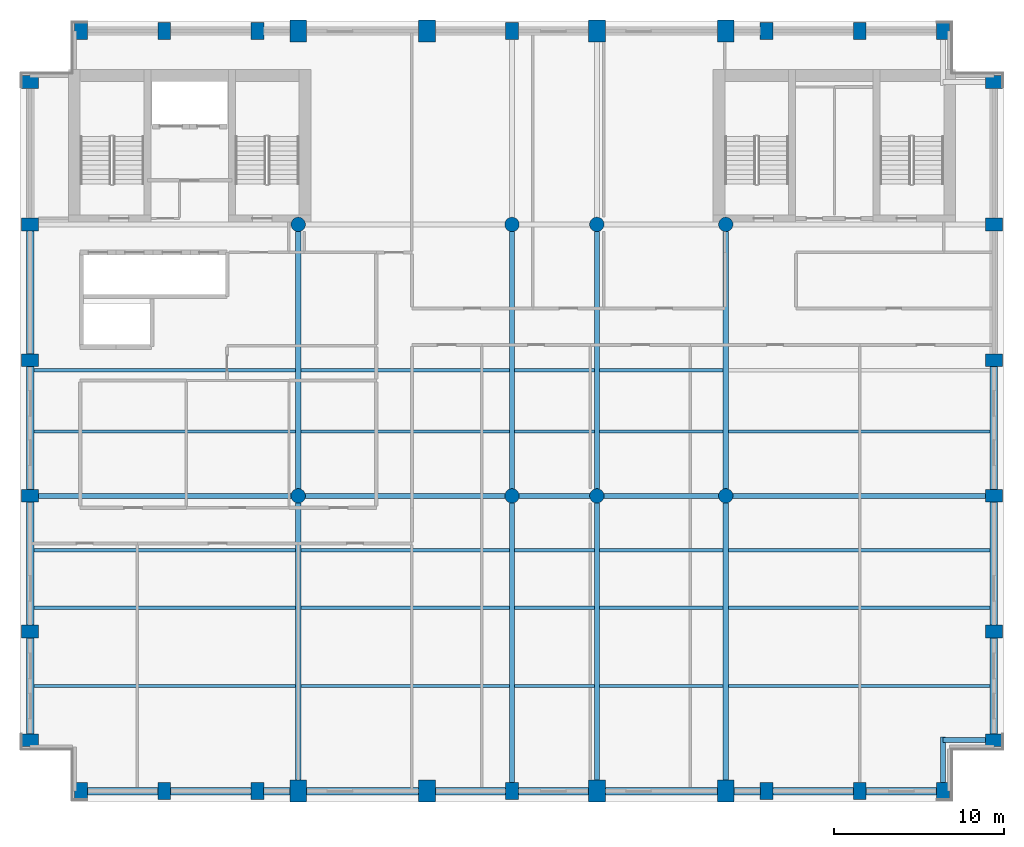
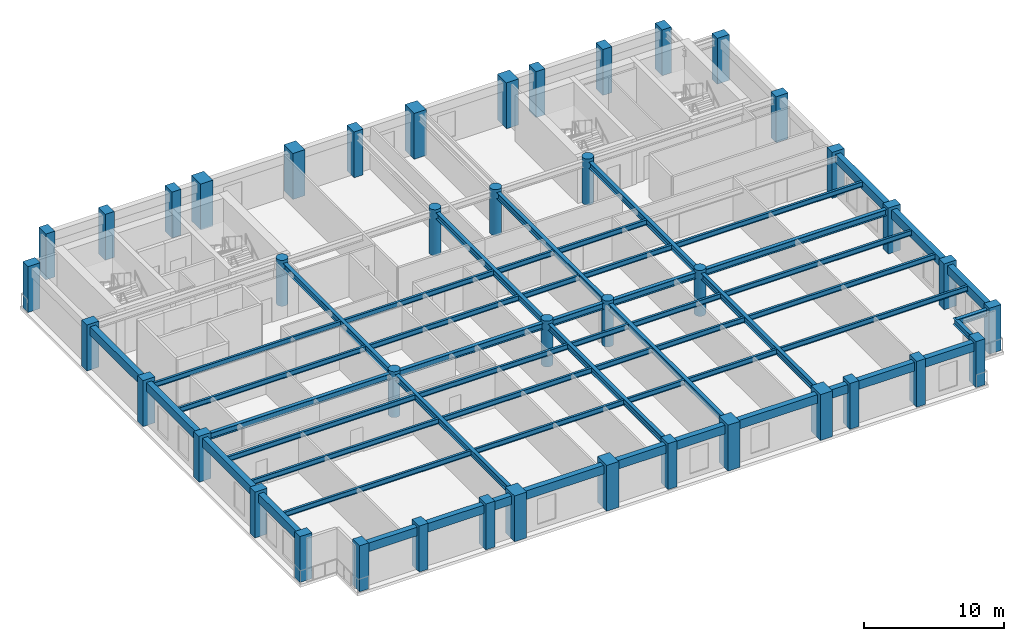
# One storey, part 1 of 9: 56 beams, 42 columns.
"""IFC4 building model written with IfcOpenShell, lengths in metres."""

import ifcopenshell
import ifcopenshell.guid

model = None  # the IFC model being written
_history = None  # IfcOwnerHistory: only IFC2X3 demands one
_inside = {}  # id of a spatial element -> (the spatial element, [elements in it])
_under = {}  # id of a project, library or spatial element -> (it, [spatial elements below it])
_declared = {}  # id of a project -> (the project, [libraries it declares])
_typed = {}  # id of a type object -> (the type object, [elements of that type])
_made_of = {}  # id of a material, layer set ... -> (it, [elements and type objects made of it])


def new_model(schema):
    """Start an empty IFC model of exactly this schema.

    Asked for "IFC4X3", IfcOpenShell would pick the latest addendum, in which some entities
    have other attributes; the version numbers below select the first issue.
    IFC2X3 requires an IfcOwnerHistory on every rooted entity: one is made here for all.
    """
    global model, _history
    if schema == "IFC4X3":
        model = ifcopenshell.file(schema_version=(4, 3, 0, 0))
    else:
        model = ifcopenshell.file(schema=schema)
    _inside.clear()
    _under.clear()
    _declared.clear()
    _typed.clear()
    _made_of.clear()
    _history = None
    if model.schema == "IFC2X3":
        org = make("IfcOrganization", Name="unknown")
        user = make(
            "IfcPersonAndOrganization",
            ThePerson=make("IfcPerson", FamilyName="unknown"),
            TheOrganization=org,
        )
        app = make(
            "IfcApplication",
            ApplicationDeveloper=org,
            Version="unknown",
            ApplicationFullName="unknown",
            ApplicationIdentifier="unknown",
        )
        _history = make(
            "IfcOwnerHistory",
            OwningUser=user,
            OwningApplication=app,
            ChangeAction="ADDED",
            CreationDate=0,
        )
    return model


def make(cls, **values):
    """One entity of the class cls with the attributes given. An attribute that is None is left unset."""
    return model.create_entity(
        cls, **{name: value for name, value in values.items() if value is not None}
    )


def rooted(cls, **values):
    """An entity with a GlobalId (a new one), such as an element, a storey or a relation."""
    return make(cls, GlobalId=ifcopenshell.guid.new(), OwnerHistory=_history, **values)


def si_unit(unit_type, name, prefix=None):
    """IfcSIUnit, for example si_unit("LENGTHUNIT", "METRE", prefix="MILLI")."""
    return make("IfcSIUnit", UnitType=unit_type, Prefix=prefix, Name=name)


def assignment(units):
    """IfcUnitAssignment: the units of a project."""
    return None if units is None else make("IfcUnitAssignment", Units=units)


def point(xyz):
    """IfcCartesianPoint."""
    return None if xyz is None else make("IfcCartesianPoint", Coordinates=xyz)


def direction(xyz):
    """IfcDirection."""
    return None if xyz is None else make("IfcDirection", DirectionRatios=xyz)


def frame(location, z_axis=None, x_axis=None):
    """IfcAxis2Placement3D, a coordinate frame: its origin and axes. An axis left out is left unset."""
    return make(
        "IfcAxis2Placement3D",
        Location=point(location),
        Axis=direction(z_axis),
        RefDirection=direction(x_axis),
    )


def frame_2d(location, x_axis=None):
    """IfcAxis2Placement2D, a coordinate frame in the plane: its origin and x axis."""
    return make(
        "IfcAxis2Placement2D", Location=point(location), RefDirection=direction(x_axis)
    )


def origin():
    """The frame at (0, 0, 0) with its axes left unset."""
    return frame((0.0, 0.0, 0.0))


def origin_2d():
    """The frame at (0, 0) in the plane with its x axis left unset."""
    return frame_2d((0.0, 0.0))


def place(relative_to, where):
    """IfcLocalPlacement: puts the frame where relative to a parent placement (None: the world)."""
    return make(
        "IfcLocalPlacement", PlacementRelTo=relative_to, RelativePlacement=where
    )


def context(
    kind, dimensions, precision=None, world=None, true_north=None, identifier=None
):
    """IfcGeometricRepresentationContext, for example the 3D "Model" context."""
    return make(
        "IfcGeometricRepresentationContext",
        ContextIdentifier=identifier,
        ContextType=kind,
        CoordinateSpaceDimension=dimensions,
        Precision=precision,
        WorldCoordinateSystem=world,
        TrueNorth=true_north,
    )


def subcontext(parent, identifier, kind, view, scale=None):
    """IfcGeometricRepresentationSubContext, for example "Body" below "Model"."""
    return make(
        "IfcGeometricRepresentationSubContext",
        ContextIdentifier=identifier,
        ContextType=kind,
        ParentContext=parent,
        TargetScale=scale,
        TargetView=view,
    )


def project(units=None, contexts=None):
    """IfcProject with its units and contexts."""
    return rooted(
        "IfcProject",
        Name="project",
        RepresentationContexts=contexts,
        UnitsInContext=assignment(units),
    )


def spatial(cls, under=None, at=None, **own):
    """A site, building, storey or space (cls), placed at a placement, below another one or the project."""
    s = rooted(cls, ObjectPlacement=at, **own)
    if under is not None:
        _under.setdefault(under.id(), (under, []))[1].append(s)
    return s


def profile(cls, at=None, kind="AREA", **sizes):
    """A parametric profile (cls). Its sizes go by their IFC names, for example OverallWidth=200.0."""
    return make(cls, ProfileType=kind, Position=at, **sizes)


def rectangle(**sizes):
    """IfcRectangleProfileDef."""
    return profile("IfcRectangleProfileDef", **sizes)


def circle(**sizes):
    """IfcCircleProfileDef."""
    return profile("IfcCircleProfileDef", **sizes)


def i_section(**sizes):
    """IfcIShapeProfileDef."""
    return profile("IfcIShapeProfileDef", **sizes)


def extrude(swept, where, along, depth):
    """IfcExtrudedAreaSolid: the profile swept, set in the frame where, extruded along a direction by depth."""
    return make(
        "IfcExtrudedAreaSolid",
        SweptArea=swept,
        Position=where,
        ExtrudedDirection=direction(along),
        Depth=depth,
    )


def shape(context_of_items, identifier, shape_type, items):
    """IfcShapeRepresentation: the items that make up one representation, for example the "Body"."""
    return make(
        "IfcShapeRepresentation",
        ContextOfItems=context_of_items,
        RepresentationIdentifier=identifier,
        RepresentationType=shape_type,
        Items=items,
    )


def material(Name=None, Category=None):
    """IfcMaterial."""
    return make("IfcMaterial", Name=Name, Category=Category)


def material_profile(
    of_material, cross_section, Name=None, Category=None, Priority=None
):
    """IfcMaterialProfile: a cross section and its material."""
    return make(
        "IfcMaterialProfile",
        Name=Name,
        Material=of_material,
        Profile=cross_section,
        Priority=Priority,
        Category=Category,
    )


def profile_set(profiles, Name=None, composite=None):
    """IfcMaterialProfileSet."""
    return make(
        "IfcMaterialProfileSet",
        Name=Name,
        MaterialProfiles=profiles,
        CompositeProfile=composite,
    )


def made_of(thing, what):
    """Note that an element or type object is made of a material, layer set ...; save() writes the relation."""
    if what is not None:
        _made_of.setdefault(what.id(), (what, []))[1].append(thing)
    return thing


def type_object(cls, material=None, **own):
    """A type object (cls), such as IfcWallType, which elements share."""
    return made_of(rooted(cls, **own), material)


def element(
    cls,
    number,
    at=None,
    inside=None,
    cuts=None,
    type_object=None,
    material=None,
    context=None,
    identifier="Body",
    shape_type=None,
    held_by="IfcProductDefinitionShape",
    body=None,
    shapes=None,
    **own,
):
    """One element of the class cls, such as IfcWall. Its Tag is "e" and its number.

    at: its placement. inside: the storey or other place that contains it. cuts: it is an
    opening in that element (IfcRelVoidsElement). A single representation is given by context,
    identifier, shape_type and body (its items); several are given by shapes. held_by: the class
    of the entity that holds the representations. save() writes the other relations.
    """
    e = rooted(cls, Tag="e%d" % number, ObjectPlacement=at, **own)
    if body is not None:
        shapes = [shape(context, identifier, shape_type, body)]
    if shapes is not None:
        e.Representation = make(held_by, Representations=shapes)
    if inside is not None:
        _inside.setdefault(inside.id(), (inside, []))[1].append(e)
    if cuts is not None:
        rooted(
            "IfcRelVoidsElement", RelatingBuildingElement=cuts, RelatedOpeningElement=e
        )
    if type_object is not None:
        _typed.setdefault(type_object.id(), (type_object, []))[1].append(e)
    return made_of(e, material)


def aggregate(whole, parts):
    """IfcRelAggregates: a whole, such as a stair, and the parts it consists of."""
    return rooted("IfcRelAggregates", RelatingObject=whole, RelatedObjects=parts)


def save(model, path):
    """Write the relations noted so far, then the file.

    IfcRelAggregates (storeys below a building ...), IfcRelContainedInSpatialStructure (elements
    in a storey), IfcRelDefinesByType, IfcRelAssociatesMaterial and IfcRelDeclares: one each for
    every whole, place, type object, material and project.
    """
    for whole, parts in _under.values():
        aggregate(whole, parts)
    for where, things in _inside.values():
        rooted(
            "IfcRelContainedInSpatialStructure",
            RelatedElements=things,
            RelatingStructure=where,
        )
    for kind, things in _typed.values():
        rooted("IfcRelDefinesByType", RelatedObjects=things, RelatingType=kind)
    for what, things in _made_of.values():
        rooted("IfcRelAssociatesMaterial", RelatedObjects=things, RelatingMaterial=what)
    for by, libraries in _declared.values():
        rooted("IfcRelDeclares", RelatingContext=by, RelatedDefinitions=libraries)
    model.write(path)


model = new_model("IFC4")

# Units and contexts
model_context = context("Model", 3, precision=1e-05, world=origin(), true_north=direction((0.0, 1.0)))
body_context = subcontext(model_context, "Body", "Model", "MODEL_VIEW")
ifc_project = project(units=[si_unit("LENGTHUNIT", "METRE"), si_unit("AREAUNIT", "SQUARE_METRE"), si_unit("VOLUMEUNIT", "CUBIC_METRE"), si_unit("PLANEANGLEUNIT", "RADIAN"), si_unit("MASSUNIT", "GRAM", prefix="KILO")], contexts=[model_context])

# Site, building, storey
site_placement = place(None, origin())
site = spatial("IfcSite", under=ifc_project, at=site_placement, CompositionType="ELEMENT")
building_placement = place(site_placement, origin())
building = spatial("IfcBuilding", under=site, at=building_placement, Name="Sulina Concourse Tower", CompositionType="ELEMENT")
storey_placement = place(building_placement, frame((0.0, 0.0, 268.60009765625)))
storey = spatial("IfcBuildingStorey", under=building, at=storey_placement, Name="L65", CompositionType="ELEMENT", Elevation=268.60009765625)

# Columns
ifc_material_1 = material(Name="Precast concrete C50/60", Category="concrete")
ifc_material_profile_1 = material_profile(ifc_material_1, rectangle(XDim=0.75, YDim=1.0, at=origin_2d()), Name="PC 750x1000")
ifc_profile_set_1 = profile_set([ifc_material_profile_1], Name="Precast concrete C50/60")
column_type_1 = type_object("IfcColumnType", Name="Precast Tube Pier Zone 4 750x1000", PredefinedType="COLUMN", material=ifc_profile_set_1)
for number, where, z_axis, x_axis, name in (
    (1, (3.60009765625, 0.60009765625, 0.0), (0.0, 0.0, 1.0), (1.0, 0.0, 0.0), "L65 structural column TP-S-36"),
    (2, (3.60009765625, 45.39990234375, 0.0), (0.0, 0.0, 1.0), (1.0, 0.0, 0.0), "L65 structural column TP-N-36"),
    (3, (8.5, 0.60009765625, 0.0), (0.0, 0.0, 1.0), (1.0, 0.0, 0.0), "L65 structural column TP-S-85"),
    (4, (8.5, 45.39990234375, 0.0), (0.0, 0.0, 1.0), (1.0, 0.0, 0.0), "L65 structural column TP-N-85"),
    (5, (14.0, 0.60009765625, 0.0), (0.0, 0.0, 1.0), (1.0, 0.0, 0.0), "L65 structural column TP-S-140"),
    (6, (14.0, 45.39990234375, 0.0), (0.0, 0.0, 1.0), (1.0, 0.0, 0.0), "L65 structural column TP-N-140"),
    (7, (29.0, 0.60009765625, 0.0), (0.0, 0.0, 1.0), (1.0, 0.0, 0.0), "L65 structural column TP-S-290"),
    (8, (29.0, 45.39990234375, 0.0), (0.0, 0.0, 1.0), (1.0, 0.0, 0.0), "L65 structural column TP-N-290"),
    (9, (44.0, 0.60009765625, 0.0), (0.0, 0.0, 1.0), (1.0, 0.0, 0.0), "L65 structural column TP-S-440"),
    (10, (44.0, 45.39990234375, 0.0), (0.0, 0.0, 1.0), (1.0, 0.0, 0.0), "L65 structural column TP-N-440"),
    (11, (49.5, 0.60009765625, 0.0), (0.0, 0.0, 1.0), (1.0, 0.0, 0.0), "L65 structural column TP-S-495"),
    (12, (49.5, 45.39990234375, 0.0), (0.0, 0.0, 1.0), (1.0, 0.0, 0.0), "L65 structural column TP-N-495"),
    (13, (54.39990234375, 0.60009765625, 0.0), (0.0, 0.0, 1.0), (1.0, 0.0, 0.0), "L65 structural column TP-S-544"),
    (14, (54.39990234375, 45.39990234375, 0.0), (0.0, 0.0, 1.0), (1.0, 0.0, 0.0), "L65 structural column TP-N-544"),
    (15, (0.60009765625, 3.60009765625, 0.0), (0.0, 0.0, 1.0), (0.0, 1.0, 0.0), "L65 structural column TP-W-36"),
    (16, (57.39990234375, 3.60009765625, 0.0), (0.0, 0.0, 1.0), (0.0, 1.0, 0.0), "L65 structural column TP-E-36"),
    (17, (0.60009765625, 10.0, 0.0), (0.0, 0.0, 1.0), (0.0, 1.0, 0.0), "L65 structural column TP-W-100"),
    (18, (57.39990234375, 10.0, 0.0), (0.0, 0.0, 1.0), (0.0, 1.0, 0.0), "L65 structural column TP-E-100"),
    (19, (0.60009765625, 18.0, 0.0), (0.0, 0.0, 1.0), (0.0, 1.0, 0.0), "L65 structural column TP-W-180"),
    (20, (57.39990234375, 18.0, 0.0), (0.0, 0.0, 1.0), (0.0, 1.0, 0.0), "L65 structural column TP-E-180"),
    (21, (0.60009765625, 26.0, 0.0), (0.0, 0.0, 1.0), (0.0, 1.0, 0.0), "L65 structural column TP-W-260"),
    (22, (57.39990234375, 26.0, 0.0), (0.0, 0.0, 1.0), (0.0, 1.0, 0.0), "L65 structural column TP-E-260"),
    (23, (0.60009765625, 34.0, 0.0), (0.0, 0.0, 1.0), (0.0, 1.0, 0.0), "L65 structural column TP-W-340"),
    (24, (57.39990234375, 34.0, 0.0), (0.0, 0.0, 1.0), (0.0, 1.0, 0.0), "L65 structural column TP-E-340"),
    (25, (0.60009765625, 42.39990234375, 0.0), (0.0, 0.0, 1.0), (0.0, 1.0, 0.0), "L65 structural column TP-W-424"),
    (26, (57.39990234375, 42.39990234375, 0.0), (0.0, 0.0, 1.0), (0.0, 1.0, 0.0), "L65 structural column TP-E-424"),
):
    element("IfcColumn", number, at=place(storey_placement, frame(where, z_axis=z_axis, x_axis=x_axis)), inside=storey, type_object=column_type_1, Name=name, PredefinedType="COLUMN", context=body_context, shape_type="SweptSolid", body=[
        extrude(rectangle(XDim=0.75, YDim=1.0, at=origin_2d()), origin(), (0.0, 0.0, 1.0), 4.0),
    ])
ifc_material_2 = material(Name="Concrete C50/60", Category="concrete")
ifc_material_profile_2 = material_profile(ifc_material_2, circle(Radius=0.425048828125, at=origin_2d()), Name="RC D850")
ifc_profile_set_2 = profile_set([ifc_material_profile_2], Name="Concrete C50/60")
column_type_2 = type_object("IfcColumnType", Name="Upper Interior Circular Column D850", PredefinedType="COLUMN", material=ifc_profile_set_2)
for number, where, z_axis, x_axis, name in (
    (27, (16.39990234375, 18.0, 0.0), (0.0, 0.0, 1.0), (1.0, 0.0, 0.0), "L65 structural column IC-M-164"),
    (28, (16.39990234375, 34.0, 0.0), (0.0, 0.0, 1.0), (1.0, 0.0, 0.0), "L65 structural column IC-N-164"),
    (29, (29.0, 18.0, 0.0), (0.0, 0.0, 1.0), (1.0, 0.0, 0.0), "L65 structural column IC-M-290"),
    (30, (29.0, 34.0, 0.0), (0.0, 0.0, 1.0), (1.0, 0.0, 0.0), "L65 structural column IC-N-290"),
    (31, (41.60009765625, 18.0, 0.0), (0.0, 0.0, 1.0), (1.0, 0.0, 0.0), "L65 structural column IC-M-416"),
    (32, (41.60009765625, 34.0, 0.0), (0.0, 0.0, 1.0), (1.0, 0.0, 0.0), "L65 structural column IC-N-416"),
    (33, (34.0, 18.0, 0.0), (0.0, 0.0, 1.0), (1.0, 0.0, 0.0), "L65 structural column IC-M-340"),
    (34, (34.0, 34.0, 0.0), (0.0, 0.0, 1.0), (1.0, 0.0, 0.0), "L65 structural column IC-N-340"),
):
    element("IfcColumn", number, at=place(storey_placement, frame(where, z_axis=z_axis, x_axis=x_axis)), inside=storey, type_object=column_type_2, Name=name, PredefinedType="COLUMN", context=body_context, shape_type="SweptSolid", body=[
        extrude(circle(Radius=0.425048828125, at=origin_2d()), origin(), (0.0, 0.0, 1.0), 4.0),
    ])
ifc_material_3 = material(Name="Concrete C60/75", Category="concrete")
ifc_material_profile_3 = material_profile(ifc_material_3, rectangle(XDim=1.0, YDim=1.300048828125, at=origin_2d()), Name="RC 1000x1300")
ifc_profile_set_3 = profile_set([ifc_material_profile_3], Name="Concrete C60/75")
column_type_3 = type_object("IfcColumnType", Name="Upper Portal Column 1000x1300", PredefinedType="COLUMN", material=ifc_profile_set_3)
for number, where, z_axis, x_axis, name in (
    (35, (16.39990234375, 0.60009765625, 0.0), (0.0, 0.0, 1.0), (1.0, 0.0, 0.0), "L65 structural column TP-S-164"),
    (36, (16.39990234375, 45.39990234375, 0.0), (0.0, 0.0, 1.0), (1.0, 0.0, 0.0), "L65 structural column TP-N-164"),
    (37, (24.0, 0.60009765625, 0.0), (0.0, 0.0, 1.0), (1.0, 0.0, 0.0), "L65 structural column TP-S-240"),
    (38, (24.0, 45.39990234375, 0.0), (0.0, 0.0, 1.0), (1.0, 0.0, 0.0), "L65 structural column TP-N-240"),
    (39, (34.0, 0.60009765625, 0.0), (0.0, 0.0, 1.0), (1.0, 0.0, 0.0), "L65 structural column TP-S-340"),
    (40, (34.0, 45.39990234375, 0.0), (0.0, 0.0, 1.0), (1.0, 0.0, 0.0), "L65 structural column TP-N-340"),
    (41, (41.60009765625, 0.60009765625, 0.0), (0.0, 0.0, 1.0), (1.0, 0.0, 0.0), "L65 structural column TP-S-416"),
    (42, (41.60009765625, 45.39990234375, 0.0), (0.0, 0.0, 1.0), (1.0, 0.0, 0.0), "L65 structural column TP-N-416"),
):
    element("IfcColumn", number, at=place(storey_placement, frame(where, z_axis=z_axis, x_axis=x_axis)), inside=storey, type_object=column_type_3, Name=name, PredefinedType="COLUMN", context=body_context, shape_type="SweptSolid", body=[
        extrude(rectangle(XDim=1.0, YDim=1.300048828125, at=origin_2d()), origin(), (0.0, 0.0, 1.0), 4.0),
    ])

# Beams
ifc_material_4 = material(Name="Steel S355", Category="steel")
ifc_material_profile_4 = material_profile(ifc_material_4, i_section(OverallWidth=0.18994140625, OverallDepth=0.449951171875, WebThickness=0.009521484375, FlangeThickness=0.0146484375, at=origin_2d()), Name="IPE 450")
ifc_profile_set_4 = profile_set([ifc_material_profile_4], Name="Steel S355")
beam_type_1 = type_object("IfcBeamType", Name="Composite Floor Joist IPE450", PredefinedType="JOIST", material=ifc_profile_set_4)
beam_1_placement = place(storey_placement, frame((0.824951171875, 6.800048828125, 3.52490234375), z_axis=(1.0, 0.0, 0.0), x_axis=(0.0, 1.0, 0.0)))
element("IfcBeam", 43, at=beam_1_placement, inside=storey, type_object=beam_type_1, Name="FJ-J06-1-L65", PredefinedType="JOIST", context=body_context, shape_type="SweptSolid", body=[
    extrude(i_section(OverallWidth=0.18994140625, OverallDepth=0.449951171875, WebThickness=0.009521484375, FlangeThickness=0.0146484375, at=origin_2d()), origin(), (0.0, 0.0, 1.0), 15.425048828125),
])
beam_2_placement = place(storey_placement, frame((16.550048828125, 6.800048828125, 3.52490234375), z_axis=(1.0, 0.0, 0.0), x_axis=(0.0, 1.0, 0.0)))
element("IfcBeam", 44, at=beam_2_placement, inside=storey, type_object=beam_type_1, Name="FJ-J06-2-L65", PredefinedType="JOIST", context=body_context, shape_type="SweptSolid", body=[
    extrude(i_section(OverallWidth=0.18994140625, OverallDepth=0.449951171875, WebThickness=0.009521484375, FlangeThickness=0.0146484375, at=origin_2d()), origin(), (0.0, 0.0, 1.0), 12.300048828125),
])
beam_3_placement = place(storey_placement, frame((29.14990234375, 6.800048828125, 3.52490234375), z_axis=(1.0, 0.0, 0.0), x_axis=(0.0, 1.0, 0.0)))
element("IfcBeam", 45, at=beam_3_placement, inside=storey, type_object=beam_type_1, Name="FJ-J06-3-L65", PredefinedType="JOIST", context=body_context, shape_type="SweptSolid", body=[
    extrude(i_section(OverallWidth=0.18994140625, OverallDepth=0.449951171875, WebThickness=0.009521484375, FlangeThickness=0.0146484375, at=origin_2d()), origin(), (0.0, 0.0, 1.0), 4.7001953125),
])
beam_4_placement = place(storey_placement, frame((34.14990234375, 6.800048828125, 3.52490234375), z_axis=(1.0, 0.0, 0.0), x_axis=(0.0, 1.0, 0.0)))
element("IfcBeam", 46, at=beam_4_placement, inside=storey, type_object=beam_type_1, Name="FJ-J06-4-L65", PredefinedType="JOIST", context=body_context, shape_type="SweptSolid", body=[
    extrude(i_section(OverallWidth=0.18994140625, OverallDepth=0.449951171875, WebThickness=0.009521484375, FlangeThickness=0.0146484375, at=origin_2d()), origin(), (0.0, 0.0, 1.0), 7.300048828125),
])
for number, where, z_axis, x_axis, name in (
    (47, (41.75, 6.800048828125, 3.52490234375), (1.0, 0.0, 0.0), (0.0, 1.0, 0.0), "FJ-J06-5-L65"),
    (48, (0.824951171875, 11.39990234375, 3.52490234375), (1.0, 0.0, 0.0), (0.0, 1.0, 0.0), "FJ-J11-1-L65"),
):
    element("IfcBeam", number, at=place(storey_placement, frame(where, z_axis=z_axis, x_axis=x_axis)), inside=storey, type_object=beam_type_1, Name=name, PredefinedType="JOIST", context=body_context, shape_type="SweptSolid", body=[
        extrude(i_section(OverallWidth=0.18994140625, OverallDepth=0.449951171875, WebThickness=0.009521484375, FlangeThickness=0.0146484375, at=origin_2d()), origin(), (0.0, 0.0, 1.0), 15.425048828125),
    ])
beam_5_placement = place(storey_placement, frame((16.550048828125, 11.39990234375, 3.52490234375), z_axis=(1.0, 0.0, 0.0), x_axis=(0.0, 1.0, 0.0)))
element("IfcBeam", 49, at=beam_5_placement, inside=storey, type_object=beam_type_1, Name="FJ-J11-2-L65", PredefinedType="JOIST", context=body_context, shape_type="SweptSolid", body=[
    extrude(i_section(OverallWidth=0.18994140625, OverallDepth=0.449951171875, WebThickness=0.009521484375, FlangeThickness=0.0146484375, at=origin_2d()), origin(), (0.0, 0.0, 1.0), 12.300048828125),
])
beam_6_placement = place(storey_placement, frame((29.14990234375, 11.39990234375, 3.52490234375), z_axis=(1.0, 0.0, 0.0), x_axis=(0.0, 1.0, 0.0)))
element("IfcBeam", 50, at=beam_6_placement, inside=storey, type_object=beam_type_1, Name="FJ-J11-3-L65", PredefinedType="JOIST", context=body_context, shape_type="SweptSolid", body=[
    extrude(i_section(OverallWidth=0.18994140625, OverallDepth=0.449951171875, WebThickness=0.009521484375, FlangeThickness=0.0146484375, at=origin_2d()), origin(), (0.0, 0.0, 1.0), 4.7001953125),
])
beam_7_placement = place(storey_placement, frame((34.14990234375, 11.39990234375, 3.52490234375), z_axis=(1.0, 0.0, 0.0), x_axis=(0.0, 1.0, 0.0)))
element("IfcBeam", 51, at=beam_7_placement, inside=storey, type_object=beam_type_1, Name="FJ-J11-4-L65", PredefinedType="JOIST", context=body_context, shape_type="SweptSolid", body=[
    extrude(i_section(OverallWidth=0.18994140625, OverallDepth=0.449951171875, WebThickness=0.009521484375, FlangeThickness=0.0146484375, at=origin_2d()), origin(), (0.0, 0.0, 1.0), 7.300048828125),
])
for number, where, z_axis, x_axis, name in (
    (52, (41.75, 11.39990234375, 3.52490234375), (1.0, 0.0, 0.0), (0.0, 1.0, 0.0), "FJ-J11-5-L65"),
    (53, (0.824951171875, 14.800048828125, 3.52490234375), (1.0, 0.0, 0.0), (0.0, 1.0, 0.0), "FJ-J15-1-L65"),
):
    element("IfcBeam", number, at=place(storey_placement, frame(where, z_axis=z_axis, x_axis=x_axis)), inside=storey, type_object=beam_type_1, Name=name, PredefinedType="JOIST", context=body_context, shape_type="SweptSolid", body=[
        extrude(i_section(OverallWidth=0.18994140625, OverallDepth=0.449951171875, WebThickness=0.009521484375, FlangeThickness=0.0146484375, at=origin_2d()), origin(), (0.0, 0.0, 1.0), 15.425048828125),
    ])
beam_8_placement = place(storey_placement, frame((16.550048828125, 14.800048828125, 3.52490234375), z_axis=(1.0, 0.0, 0.0), x_axis=(0.0, 1.0, 0.0)))
element("IfcBeam", 54, at=beam_8_placement, inside=storey, type_object=beam_type_1, Name="FJ-J15-2-L65", PredefinedType="JOIST", context=body_context, shape_type="SweptSolid", body=[
    extrude(i_section(OverallWidth=0.18994140625, OverallDepth=0.449951171875, WebThickness=0.009521484375, FlangeThickness=0.0146484375, at=origin_2d()), origin(), (0.0, 0.0, 1.0), 12.300048828125),
])
beam_9_placement = place(storey_placement, frame((29.14990234375, 14.800048828125, 3.52490234375), z_axis=(1.0, 0.0, 0.0), x_axis=(0.0, 1.0, 0.0)))
element("IfcBeam", 55, at=beam_9_placement, inside=storey, type_object=beam_type_1, Name="FJ-J15-3-L65", PredefinedType="JOIST", context=body_context, shape_type="SweptSolid", body=[
    extrude(i_section(OverallWidth=0.18994140625, OverallDepth=0.449951171875, WebThickness=0.009521484375, FlangeThickness=0.0146484375, at=origin_2d()), origin(), (0.0, 0.0, 1.0), 4.7001953125),
])
beam_10_placement = place(storey_placement, frame((34.14990234375, 14.800048828125, 3.52490234375), z_axis=(1.0, 0.0, 0.0), x_axis=(0.0, 1.0, 0.0)))
element("IfcBeam", 56, at=beam_10_placement, inside=storey, type_object=beam_type_1, Name="FJ-J15-4-L65", PredefinedType="JOIST", context=body_context, shape_type="SweptSolid", body=[
    extrude(i_section(OverallWidth=0.18994140625, OverallDepth=0.449951171875, WebThickness=0.009521484375, FlangeThickness=0.0146484375, at=origin_2d()), origin(), (0.0, 0.0, 1.0), 7.300048828125),
])
for number, where, z_axis, x_axis, name in (
    (57, (41.75, 14.800048828125, 3.52490234375), (1.0, 0.0, 0.0), (0.0, 1.0, 0.0), "FJ-J15-5-L65"),
    (58, (0.824951171875, 21.800048828125, 3.52490234375), (1.0, 0.0, 0.0), (0.0, 1.0, 0.0), "FJ-J22-1-L65"),
):
    element("IfcBeam", number, at=place(storey_placement, frame(where, z_axis=z_axis, x_axis=x_axis)), inside=storey, type_object=beam_type_1, Name=name, PredefinedType="JOIST", context=body_context, shape_type="SweptSolid", body=[
        extrude(i_section(OverallWidth=0.18994140625, OverallDepth=0.449951171875, WebThickness=0.009521484375, FlangeThickness=0.0146484375, at=origin_2d()), origin(), (0.0, 0.0, 1.0), 15.425048828125),
    ])
beam_11_placement = place(storey_placement, frame((16.550048828125, 21.800048828125, 3.52490234375), z_axis=(1.0, 0.0, 0.0), x_axis=(0.0, 1.0, 0.0)))
element("IfcBeam", 59, at=beam_11_placement, inside=storey, type_object=beam_type_1, Name="FJ-J22-2-L65", PredefinedType="JOIST", context=body_context, shape_type="SweptSolid", body=[
    extrude(i_section(OverallWidth=0.18994140625, OverallDepth=0.449951171875, WebThickness=0.009521484375, FlangeThickness=0.0146484375, at=origin_2d()), origin(), (0.0, 0.0, 1.0), 12.300048828125),
])
beam_12_placement = place(storey_placement, frame((29.14990234375, 21.800048828125, 3.52490234375), z_axis=(1.0, 0.0, 0.0), x_axis=(0.0, 1.0, 0.0)))
element("IfcBeam", 60, at=beam_12_placement, inside=storey, type_object=beam_type_1, Name="FJ-J22-3-L65", PredefinedType="JOIST", context=body_context, shape_type="SweptSolid", body=[
    extrude(i_section(OverallWidth=0.18994140625, OverallDepth=0.449951171875, WebThickness=0.009521484375, FlangeThickness=0.0146484375, at=origin_2d()), origin(), (0.0, 0.0, 1.0), 4.7001953125),
])
beam_13_placement = place(storey_placement, frame((34.14990234375, 21.800048828125, 3.52490234375), z_axis=(1.0, 0.0, 0.0), x_axis=(0.0, 1.0, 0.0)))
element("IfcBeam", 61, at=beam_13_placement, inside=storey, type_object=beam_type_1, Name="FJ-J22-4-L65", PredefinedType="JOIST", context=body_context, shape_type="SweptSolid", body=[
    extrude(i_section(OverallWidth=0.18994140625, OverallDepth=0.449951171875, WebThickness=0.009521484375, FlangeThickness=0.0146484375, at=origin_2d()), origin(), (0.0, 0.0, 1.0), 7.300048828125),
])
for number, where, z_axis, x_axis, name in (
    (62, (41.75, 21.800048828125, 3.52490234375), (1.0, 0.0, 0.0), (0.0, 1.0, 0.0), "FJ-J22-5-L65"),
    (63, (0.824951171875, 25.39990234375, 3.52490234375), (1.0, 0.0, 0.0), (0.0, 1.0, 0.0), "FJ-J25-1-L65"),
):
    element("IfcBeam", number, at=place(storey_placement, frame(where, z_axis=z_axis, x_axis=x_axis)), inside=storey, type_object=beam_type_1, Name=name, PredefinedType="JOIST", context=body_context, shape_type="SweptSolid", body=[
        extrude(i_section(OverallWidth=0.18994140625, OverallDepth=0.449951171875, WebThickness=0.009521484375, FlangeThickness=0.0146484375, at=origin_2d()), origin(), (0.0, 0.0, 1.0), 15.425048828125),
    ])
beam_14_placement = place(storey_placement, frame((16.550048828125, 25.39990234375, 3.52490234375), z_axis=(1.0, 0.0, 0.0), x_axis=(0.0, 1.0, 0.0)))
element("IfcBeam", 64, at=beam_14_placement, inside=storey, type_object=beam_type_1, Name="FJ-J25-2-L65", PredefinedType="JOIST", context=body_context, shape_type="SweptSolid", body=[
    extrude(i_section(OverallWidth=0.18994140625, OverallDepth=0.449951171875, WebThickness=0.009521484375, FlangeThickness=0.0146484375, at=origin_2d()), origin(), (0.0, 0.0, 1.0), 12.300048828125),
])
beam_15_placement = place(storey_placement, frame((29.14990234375, 25.39990234375, 3.52490234375), z_axis=(1.0, 0.0, 0.0), x_axis=(0.0, 1.0, 0.0)))
element("IfcBeam", 65, at=beam_15_placement, inside=storey, type_object=beam_type_1, Name="FJ-J25-3-L65", PredefinedType="JOIST", context=body_context, shape_type="SweptSolid", body=[
    extrude(i_section(OverallWidth=0.18994140625, OverallDepth=0.449951171875, WebThickness=0.009521484375, FlangeThickness=0.0146484375, at=origin_2d()), origin(), (0.0, 0.0, 1.0), 4.7001953125),
])
beam_16_placement = place(storey_placement, frame((34.14990234375, 25.39990234375, 3.52490234375), z_axis=(1.0, 0.0, 0.0), x_axis=(0.0, 1.0, 0.0)))
element("IfcBeam", 66, at=beam_16_placement, inside=storey, type_object=beam_type_1, Name="FJ-J25-4-L65", PredefinedType="JOIST", context=body_context, shape_type="SweptSolid", body=[
    extrude(i_section(OverallWidth=0.18994140625, OverallDepth=0.449951171875, WebThickness=0.009521484375, FlangeThickness=0.0146484375, at=origin_2d()), origin(), (0.0, 0.0, 1.0), 7.300048828125),
])
ifc_material_5 = material(Name="Steel S355", Category="steel")
ifc_material_profile_5 = material_profile(ifc_material_5, i_section(OverallWidth=0.300048828125, OverallDepth=0.550048828125, WebThickness=0.014892578125, FlangeThickness=0.029052734375, at=origin_2d()), Name="HE 550 B")
ifc_profile_set_5 = profile_set([ifc_material_profile_5], Name="Steel S355")
beam_type_2 = type_object("IfcBeamType", Name="Floor Primary Girder Zone 4 HE550B", PredefinedType="BEAM", material=ifc_profile_set_5)
beam_17_placement = place(storey_placement, frame((54.39990234375, 3.60009765625, 3.474853515625), z_axis=(1.0, 0.0, 0.0), x_axis=(0.0, 1.0, 0.0)))
element("IfcBeam", 67, at=beam_17_placement, inside=storey, type_object=beam_type_2, Name="TIE-SE-L65", PredefinedType="BEAM", context=body_context, shape_type="SweptSolid", body=[
    extrude(i_section(OverallWidth=0.300048828125, OverallDepth=0.550048828125, WebThickness=0.014892578125, FlangeThickness=0.029052734375, at=origin_2d()), origin(), (0.0, 0.0, 1.0), 2.64501953125),
])
beam_18_placement = place(storey_placement, frame((54.39990234375, 0.955078125, 3.474853515625), z_axis=(0.0, 1.0, 0.0), x_axis=(-1.0, 0.0, 0.0)))
element("IfcBeam", 68, at=beam_18_placement, inside=storey, type_object=beam_type_2, Name="TIE-SES-L65", PredefinedType="BEAM", context=body_context, shape_type="SweptSolid", body=[
    extrude(i_section(OverallWidth=0.300048828125, OverallDepth=0.550048828125, WebThickness=0.014892578125, FlangeThickness=0.029052734375, at=origin_2d()), origin(), (0.0, 0.0, 1.0), 2.844970703125),
])
beam_19_placement = place(storey_placement, frame((0.955078125, 18.0, 3.474853515625), z_axis=(1.0, 0.0, 0.0), x_axis=(0.0, 1.0, 0.0)))
element("IfcBeam", 69, at=beam_19_placement, inside=storey, type_object=beam_type_2, Name="FG-EW1-L65", PredefinedType="BEAM", context=body_context, shape_type="SweptSolid", body=[
    extrude(i_section(OverallWidth=0.300048828125, OverallDepth=0.550048828125, WebThickness=0.014892578125, FlangeThickness=0.029052734375, at=origin_2d()), origin(), (0.0, 0.0, 1.0), 15.0400390625),
])
beam_20_placement = place(storey_placement, frame((16.804931640625, 18.0, 3.474853515625), z_axis=(1.0, 0.0, 0.0), x_axis=(0.0, 1.0, 0.0)))
element("IfcBeam", 70, at=beam_20_placement, inside=storey, type_object=beam_type_2, Name="FG-EW2-L65", PredefinedType="BEAM", context=body_context, shape_type="SweptSolid", body=[
    extrude(i_section(OverallWidth=0.300048828125, OverallDepth=0.550048828125, WebThickness=0.014892578125, FlangeThickness=0.029052734375, at=origin_2d()), origin(), (0.0, 0.0, 1.0), 11.7900390625),
])
beam_21_placement = place(storey_placement, frame((29.405029296875, 18.0, 3.474853515625), z_axis=(1.0, 0.0, 0.0), x_axis=(0.0, 1.0, 0.0)))
element("IfcBeam", 71, at=beam_21_placement, inside=storey, type_object=beam_type_2, Name="FG-EW3-L65", PredefinedType="BEAM", context=body_context, shape_type="SweptSolid", body=[
    extrude(i_section(OverallWidth=0.300048828125, OverallDepth=0.550048828125, WebThickness=0.014892578125, FlangeThickness=0.029052734375, at=origin_2d()), origin(), (0.0, 0.0, 1.0), 4.18994140625),
])
beam_22_placement = place(storey_placement, frame((34.405029296875, 18.0, 3.474853515625), z_axis=(1.0, 0.0, 0.0), x_axis=(0.0, 1.0, 0.0)))
element("IfcBeam", 72, at=beam_22_placement, inside=storey, type_object=beam_type_2, Name="FG-EW4-L65", PredefinedType="BEAM", context=body_context, shape_type="SweptSolid", body=[
    extrude(i_section(OverallWidth=0.300048828125, OverallDepth=0.550048828125, WebThickness=0.014892578125, FlangeThickness=0.029052734375, at=origin_2d()), origin(), (0.0, 0.0, 1.0), 6.7900390625),
])
beam_23_placement = place(storey_placement, frame((42.0048828125, 18.0, 3.474853515625), z_axis=(1.0, 0.0, 0.0), x_axis=(0.0, 1.0, 0.0)))
element("IfcBeam", 73, at=beam_23_placement, inside=storey, type_object=beam_type_2, Name="FG-EW5-L65", PredefinedType="BEAM", context=body_context, shape_type="SweptSolid", body=[
    extrude(i_section(OverallWidth=0.300048828125, OverallDepth=0.550048828125, WebThickness=0.014892578125, FlangeThickness=0.029052734375, at=origin_2d()), origin(), (0.0, 0.0, 1.0), 15.0400390625),
])
beam_24_placement = place(storey_placement, frame((16.39990234375, 1.080078125, 3.474853515625), z_axis=(0.0, 1.0, 0.0), x_axis=(-1.0, 0.0, 0.0)))
element("IfcBeam", 74, at=beam_24_placement, inside=storey, type_object=beam_type_2, Name="FG-NSA-16-L65", PredefinedType="BEAM", context=body_context, shape_type="SweptSolid", body=[
    extrude(i_section(OverallWidth=0.300048828125, OverallDepth=0.550048828125, WebThickness=0.014892578125, FlangeThickness=0.029052734375, at=origin_2d()), origin(), (0.0, 0.0, 1.0), 16.514892578125),
])
beam_25_placement = place(storey_placement, frame((16.39990234375, 18.405029296875, 3.474853515625), z_axis=(0.0, 1.0, 0.0), x_axis=(-1.0, 0.0, 0.0)))
element("IfcBeam", 75, at=beam_25_placement, inside=storey, type_object=beam_type_2, Name="FG-NSB-16-L65", PredefinedType="BEAM", context=body_context, shape_type="SweptSolid", body=[
    extrude(i_section(OverallWidth=0.300048828125, OverallDepth=0.550048828125, WebThickness=0.014892578125, FlangeThickness=0.029052734375, at=origin_2d()), origin(), (0.0, 0.0, 1.0), 15.18994140625),
])
beam_26_placement = place(storey_placement, frame((29.0, 0.955078125, 3.474853515625), z_axis=(0.0, 1.0, 0.0), x_axis=(-1.0, 0.0, 0.0)))
element("IfcBeam", 76, at=beam_26_placement, inside=storey, type_object=beam_type_2, Name="FG-NSA-29-L65", PredefinedType="BEAM", context=body_context, shape_type="SweptSolid", body=[
    extrude(i_section(OverallWidth=0.300048828125, OverallDepth=0.550048828125, WebThickness=0.014892578125, FlangeThickness=0.029052734375, at=origin_2d()), origin(), (0.0, 0.0, 1.0), 16.639892578125),
])
beam_27_placement = place(storey_placement, frame((29.0, 18.405029296875, 3.474853515625), z_axis=(0.0, 1.0, 0.0), x_axis=(-1.0, 0.0, 0.0)))
element("IfcBeam", 77, at=beam_27_placement, inside=storey, type_object=beam_type_2, Name="FG-NSB-29-L65", PredefinedType="BEAM", context=body_context, shape_type="SweptSolid", body=[
    extrude(i_section(OverallWidth=0.300048828125, OverallDepth=0.550048828125, WebThickness=0.014892578125, FlangeThickness=0.029052734375, at=origin_2d()), origin(), (0.0, 0.0, 1.0), 15.18994140625),
])
beam_28_placement = place(storey_placement, frame((34.0, 1.080078125, 3.474853515625), z_axis=(0.0, 1.0, 0.0), x_axis=(-1.0, 0.0, 0.0)))
element("IfcBeam", 78, at=beam_28_placement, inside=storey, type_object=beam_type_2, Name="FG-NSA-34-L65", PredefinedType="BEAM", context=body_context, shape_type="SweptSolid", body=[
    extrude(i_section(OverallWidth=0.300048828125, OverallDepth=0.550048828125, WebThickness=0.014892578125, FlangeThickness=0.029052734375, at=origin_2d()), origin(), (0.0, 0.0, 1.0), 16.514892578125),
])
beam_29_placement = place(storey_placement, frame((34.0, 18.405029296875, 3.474853515625), z_axis=(0.0, 1.0, 0.0), x_axis=(-1.0, 0.0, 0.0)))
element("IfcBeam", 79, at=beam_29_placement, inside=storey, type_object=beam_type_2, Name="FG-NSB-34-L65", PredefinedType="BEAM", context=body_context, shape_type="SweptSolid", body=[
    extrude(i_section(OverallWidth=0.300048828125, OverallDepth=0.550048828125, WebThickness=0.014892578125, FlangeThickness=0.029052734375, at=origin_2d()), origin(), (0.0, 0.0, 1.0), 15.18994140625),
])
beam_30_placement = place(storey_placement, frame((41.60009765625, 1.080078125, 3.474853515625), z_axis=(0.0, 1.0, 0.0), x_axis=(-1.0, 0.0, 0.0)))
element("IfcBeam", 80, at=beam_30_placement, inside=storey, type_object=beam_type_2, Name="FG-NSA-41-L65", PredefinedType="BEAM", context=body_context, shape_type="SweptSolid", body=[
    extrude(i_section(OverallWidth=0.300048828125, OverallDepth=0.550048828125, WebThickness=0.014892578125, FlangeThickness=0.029052734375, at=origin_2d()), origin(), (0.0, 0.0, 1.0), 16.514892578125),
])
beam_31_placement = place(storey_placement, frame((41.60009765625, 18.405029296875, 3.474853515625), z_axis=(0.0, 1.0, 0.0), x_axis=(-1.0, 0.0, 0.0)))
element("IfcBeam", 81, at=beam_31_placement, inside=storey, type_object=beam_type_2, Name="FG-NSB-41-L65", PredefinedType="BEAM", context=body_context, shape_type="SweptSolid", body=[
    extrude(i_section(OverallWidth=0.300048828125, OverallDepth=0.550048828125, WebThickness=0.014892578125, FlangeThickness=0.029052734375, at=origin_2d()), origin(), (0.0, 0.0, 1.0), 15.18994140625),
])
ifc_material_6 = material(Name="Precast concrete C50/60", Category="concrete")
ifc_material_profile_6 = material_profile(ifc_material_6, rectangle(XDim=0.449951171875, YDim=0.75, at=origin_2d()), Name="RC 450x750")
ifc_profile_set_6 = profile_set([ifc_material_profile_6], Name="Precast concrete C50/60")
beam_type_3 = type_object("IfcBeamType", Name="Upper Precast Spandrel Edge Beam 450x750", PredefinedType="BEAM", material=ifc_profile_set_6)
beam_32_placement = place(storey_placement, frame((3.955078125, 0.60009765625, 3.375), z_axis=(1.0, 0.0, 0.0), x_axis=(0.0, 1.0, 0.0)))
element("IfcBeam", 82, at=beam_32_placement, inside=storey, type_object=beam_type_3, Name="SP-S1-L65", PredefinedType="BEAM", context=body_context, shape_type="SweptSolid", body=[
    extrude(rectangle(XDim=0.449951171875, YDim=0.75, at=origin_2d()), origin(), (0.0, 0.0, 1.0), 4.18994140625),
])
beam_33_placement = place(storey_placement, frame((8.85498046875, 0.60009765625, 3.375), z_axis=(1.0, 0.0, 0.0), x_axis=(0.0, 1.0, 0.0)))
element("IfcBeam", 83, at=beam_33_placement, inside=storey, type_object=beam_type_3, Name="SP-S2-L65", PredefinedType="BEAM", context=body_context, shape_type="SweptSolid", body=[
    extrude(rectangle(XDim=0.449951171875, YDim=0.75, at=origin_2d()), origin(), (0.0, 0.0, 1.0), 4.7900390625),
])
beam_34_placement = place(storey_placement, frame((14.35498046875, 0.60009765625, 3.375), z_axis=(1.0, 0.0, 0.0), x_axis=(0.0, 1.0, 0.0)))
element("IfcBeam", 84, at=beam_34_placement, inside=storey, type_object=beam_type_3, Name="SP-S3-L65", PredefinedType="BEAM", context=body_context, shape_type="SweptSolid", body=[
    extrude(rectangle(XDim=0.449951171875, YDim=0.75, at=origin_2d()), origin(), (0.0, 0.0, 1.0), 1.56494140625),
])
beam_35_placement = place(storey_placement, frame((16.8798828125, 0.60009765625, 3.375), z_axis=(1.0, 0.0, 0.0), x_axis=(0.0, 1.0, 0.0)))
element("IfcBeam", 85, at=beam_35_placement, inside=storey, type_object=beam_type_3, Name="SP-S4-L65", PredefinedType="BEAM", context=body_context, shape_type="SweptSolid", body=[
    extrude(rectangle(XDim=0.449951171875, YDim=0.75, at=origin_2d()), origin(), (0.0, 0.0, 1.0), 6.64013671875),
])
for number, where, z_axis, x_axis, name in (
    (86, (24.47998046875, 0.60009765625, 3.375), (1.0, 0.0, 0.0), (0.0, 1.0, 0.0), "SP-S5-L65"),
    (87, (29.35498046875, 0.60009765625, 3.375), (1.0, 0.0, 0.0), (0.0, 1.0, 0.0), "SP-S6-L65"),
):
    element("IfcBeam", number, at=place(storey_placement, frame(where, z_axis=z_axis, x_axis=x_axis)), inside=storey, type_object=beam_type_3, Name=name, PredefinedType="BEAM", context=body_context, shape_type="SweptSolid", body=[
        extrude(rectangle(XDim=0.449951171875, YDim=0.75, at=origin_2d()), origin(), (0.0, 0.0, 1.0), 4.1650390625),
    ])
beam_36_placement = place(storey_placement, frame((34.47998046875, 0.60009765625, 3.375), z_axis=(1.0, 0.0, 0.0), x_axis=(0.0, 1.0, 0.0)))
element("IfcBeam", 88, at=beam_36_placement, inside=storey, type_object=beam_type_3, Name="SP-S7-L65", PredefinedType="BEAM", context=body_context, shape_type="SweptSolid", body=[
    extrude(rectangle(XDim=0.449951171875, YDim=0.75, at=origin_2d()), origin(), (0.0, 0.0, 1.0), 6.64013671875),
])
beam_37_placement = place(storey_placement, frame((42.080078125, 0.60009765625, 3.375), z_axis=(1.0, 0.0, 0.0), x_axis=(0.0, 1.0, 0.0)))
element("IfcBeam", 89, at=beam_37_placement, inside=storey, type_object=beam_type_3, Name="SP-S8-L65", PredefinedType="BEAM", context=body_context, shape_type="SweptSolid", body=[
    extrude(rectangle(XDim=0.449951171875, YDim=0.75, at=origin_2d()), origin(), (0.0, 0.0, 1.0), 1.56494140625),
])
beam_38_placement = place(storey_placement, frame((44.35498046875, 0.60009765625, 3.375), z_axis=(1.0, 0.0, 0.0), x_axis=(0.0, 1.0, 0.0)))
element("IfcBeam", 90, at=beam_38_placement, inside=storey, type_object=beam_type_3, Name="SP-S9-L65", PredefinedType="BEAM", context=body_context, shape_type="SweptSolid", body=[
    extrude(rectangle(XDim=0.449951171875, YDim=0.75, at=origin_2d()), origin(), (0.0, 0.0, 1.0), 4.7900390625),
])
beam_39_placement = place(storey_placement, frame((49.85498046875, 0.60009765625, 3.375), z_axis=(1.0, 0.0, 0.0), x_axis=(0.0, 1.0, 0.0)))
element("IfcBeam", 91, at=beam_39_placement, inside=storey, type_object=beam_type_3, Name="SP-S10-L65", PredefinedType="BEAM", context=body_context, shape_type="SweptSolid", body=[
    extrude(rectangle(XDim=0.449951171875, YDim=0.75, at=origin_2d()), origin(), (0.0, 0.0, 1.0), 4.18994140625),
])
beam_40_placement = place(storey_placement, frame((0.60009765625, 3.955078125, 3.375), z_axis=(0.0, 1.0, 0.0), x_axis=(-1.0, 0.0, 0.0)))
element("IfcBeam", 92, at=beam_40_placement, inside=storey, type_object=beam_type_3, Name="SP-W1-L65", PredefinedType="BEAM", context=body_context, shape_type="SweptSolid", body=[
    extrude(rectangle(XDim=0.449951171875, YDim=0.75, at=origin_2d()), origin(), (0.0, 0.0, 1.0), 5.68994140625),
])
for number, where, z_axis, x_axis, name in (
    (93, (0.60009765625, 10.35498046875, 3.375), (0.0, 1.0, 0.0), (-1.0, 0.0, 0.0), "SP-W2-L65"),
    (94, (0.60009765625, 18.35498046875, 3.375), (0.0, 1.0, 0.0), (-1.0, 0.0, 0.0), "SP-W3-L65"),
    (95, (0.60009765625, 26.35498046875, 3.375), (0.0, 1.0, 0.0), (-1.0, 0.0, 0.0), "SP-W4-L65"),
):
    element("IfcBeam", number, at=place(storey_placement, frame(where, z_axis=z_axis, x_axis=x_axis)), inside=storey, type_object=beam_type_3, Name=name, PredefinedType="BEAM", context=body_context, shape_type="SweptSolid", body=[
        extrude(rectangle(XDim=0.449951171875, YDim=0.75, at=origin_2d()), origin(), (0.0, 0.0, 1.0), 7.2900390625),
    ])
beam_41_placement = place(storey_placement, frame((57.39990234375, 3.955078125, 3.375), z_axis=(0.0, 1.0, 0.0), x_axis=(-1.0, 0.0, 0.0)))
element("IfcBeam", 96, at=beam_41_placement, inside=storey, type_object=beam_type_3, Name="SP-E1-L65", PredefinedType="BEAM", context=body_context, shape_type="SweptSolid", body=[
    extrude(rectangle(XDim=0.449951171875, YDim=0.75, at=origin_2d()), origin(), (0.0, 0.0, 1.0), 5.68994140625),
])
for number, where, z_axis, x_axis, name in (
    (97, (57.39990234375, 10.35498046875, 3.375), (0.0, 1.0, 0.0), (-1.0, 0.0, 0.0), "SP-E2-L65"),
    (98, (57.39990234375, 18.35498046875, 3.375), (0.0, 1.0, 0.0), (-1.0, 0.0, 0.0), "SP-E3-L65"),
):
    element("IfcBeam", number, at=place(storey_placement, frame(where, z_axis=z_axis, x_axis=x_axis)), inside=storey, type_object=beam_type_3, Name=name, PredefinedType="BEAM", context=body_context, shape_type="SweptSolid", body=[
        extrude(rectangle(XDim=0.449951171875, YDim=0.75, at=origin_2d()), origin(), (0.0, 0.0, 1.0), 7.2900390625),
    ])

save(model, "model.ifc")
